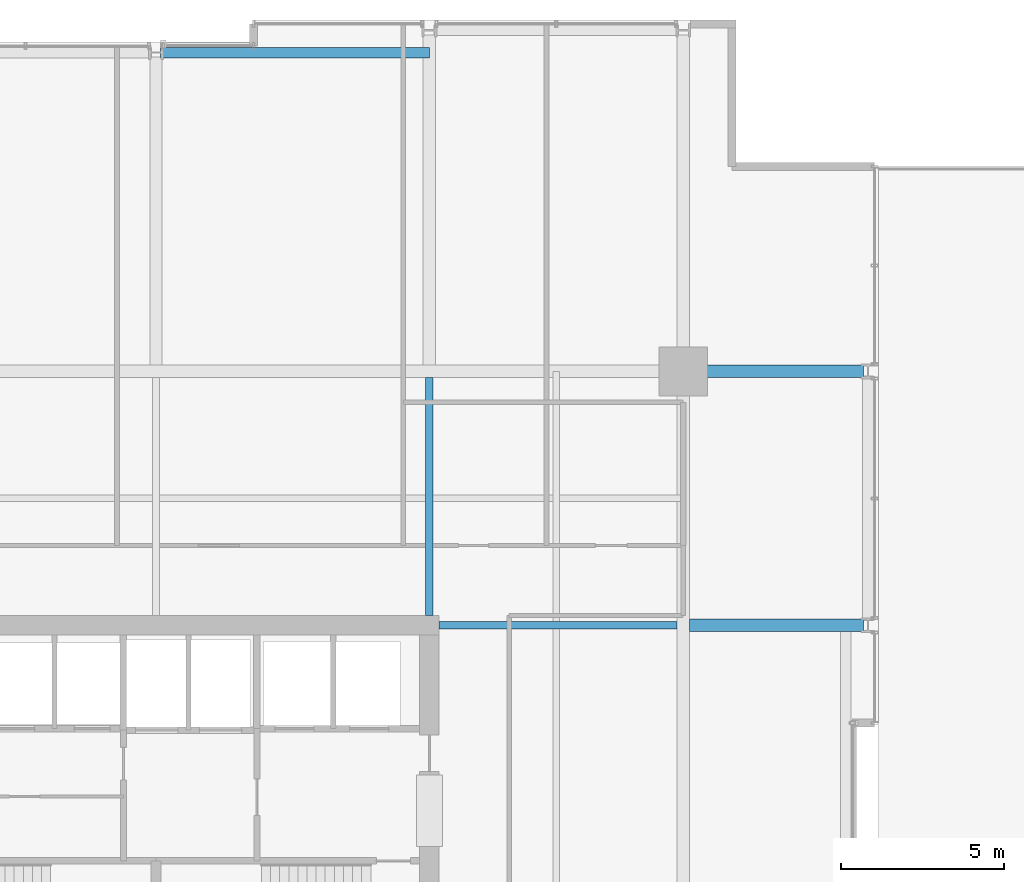
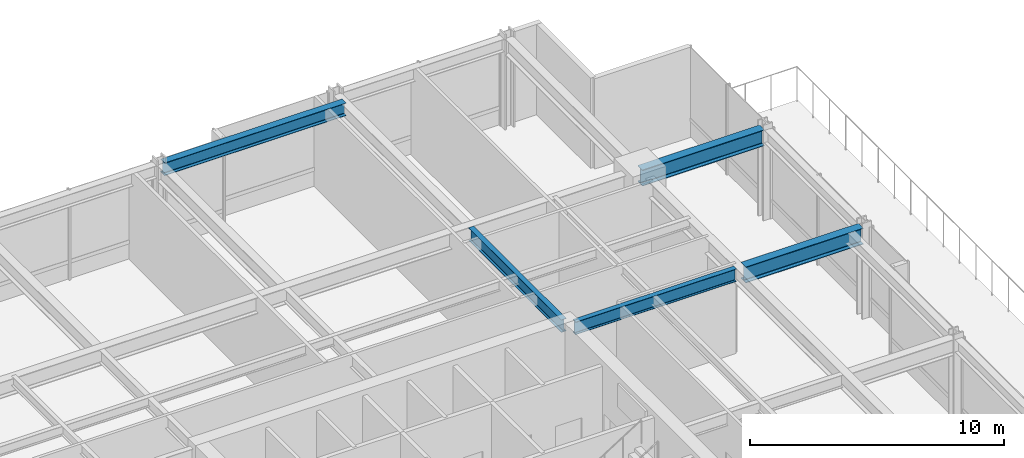
# One storey, part 23 of 33: 5 beams.
"""IFC4 building model written with IfcOpenShell, lengths in metres."""

from ifc_helpers import new_model, si_unit, direction, frame, origin, origin_2d, place, context, subcontext, project, spatial, i_section, extrude, material, material_profile, profile_set, type_object, element, save


model = new_model("IFC4")

# Units and contexts
model_context = context("Model", 3, precision=1e-05, world=origin(), true_north=direction((0.0, 1.0)))
body_context = subcontext(model_context, "Body", "Model", "MODEL_VIEW")
ifc_project = project(units=[si_unit("LENGTHUNIT", "METRE"), si_unit("AREAUNIT", "SQUARE_METRE"), si_unit("VOLUMEUNIT", "CUBIC_METRE"), si_unit("PLANEANGLEUNIT", "RADIAN"), si_unit("MASSUNIT", "GRAM", prefix="KILO")], contexts=[model_context])

# Site, building, storey
site_placement = place(None, origin())
site = spatial("IfcSite", under=ifc_project, at=site_placement, CompositionType="ELEMENT")
building_placement = place(site_placement, origin())
building = spatial("IfcBuilding", under=site, at=building_placement, Name="Drelvath Grand Hotel", CompositionType="ELEMENT")
storey_placement = place(building_placement, frame((0.0, 0.0, 87.199951171875)))
storey = spatial("IfcBuildingStorey", under=building, at=storey_placement, Name="L21", CompositionType="ELEMENT", Elevation=87.199951171875)

# Beams
ifc_material = material(Name="Steel ASTM A992 Gr 50", Category="steel")
ifc_material_profile_1 = material_profile(ifc_material, i_section(OverallWidth=0.323974609375, OverallDepth=0.611083984375, WebThickness=0.0126953125, FlangeThickness=0.01904296875, FilletRadius=0.02197265625, at=origin_2d()), Name="W24X104")
ifc_profile_set_1 = profile_set([ifc_material_profile_1], Name="Steel ASTM A992 Gr 50")
beam_type_1 = type_object("IfcBeamType", Name="Perimeter Spandrel Beam W24X104", PredefinedType="SPANDREL", material=ifc_profile_set_1)
beam_1_placement = place(storey_placement, frame((0.139892578125, 53.0, 4.03466796875), z_axis=(1.0, 0.0, 0.0), x_axis=(0.0, 1.0, 0.0)))
element("IfcBeam", 1, at=beam_1_placement, inside=storey, type_object=beam_type_1, Name="L21 Spandrel North Mid E", PredefinedType="SPANDREL", context=body_context, shape_type="SweptSolid", body=[
    extrude(i_section(OverallWidth=0.323974609375, OverallDepth=0.611083984375, WebThickness=0.0126953125, FlangeThickness=0.01904296875, FilletRadius=0.02197265625, at=origin_2d()), origin(), (0.0, 0.0, 1.0), 8.260009765625),
])
ifc_material_profile_2 = material_profile(ifc_material, i_section(OverallWidth=0.228271484375, OverallDepth=0.607666015625, WebThickness=0.01123046875, FlangeThickness=0.017333984375, FilletRadius=0.02001953125, at=origin_2d()), Name="W24X76")
ifc_profile_set_2 = profile_set([ifc_material_profile_2], Name="Steel ASTM A992 Gr 50")
beam_type_2 = type_object("IfcBeamType", Name="Primary Floor Girder W24X76", PredefinedType="BEAM", material=ifc_profile_set_2)
for number, where, z_axis, x_axis, name in (
    (2, (8.699951171875, 35.39990234375, 4.0361328125), (1.0, 0.0, 0.0), (0.0, 1.0, 0.0), "L21 East Core Tie F"),
    (3, (8.39990234375, 35.699951171875, 4.0361328125), (0.0, 1.0, 0.0), (-1.0, 0.0, 0.0), "L21 North Core Tie 6"),
):
    element("IfcBeam", number, at=place(storey_placement, frame(where, z_axis=z_axis, x_axis=x_axis)), inside=storey, type_object=beam_type_2, Name=name, PredefinedType="BEAM", context=body_context, shape_type="SweptSolid", body=[
        extrude(i_section(OverallWidth=0.228271484375, OverallDepth=0.607666015625, WebThickness=0.01123046875, FlangeThickness=0.017333984375, FilletRadius=0.02001953125, at=origin_2d()), origin(), (0.0, 0.0, 1.0), 7.309814453125),
    ])
ifc_material_profile_3 = material_profile(ifc_material, i_section(OverallWidth=0.380615234375, OverallDepth=0.773193359375, WebThickness=0.0166015625, FlangeThickness=0.027099609375, FilletRadius=0.02490234375, at=origin_2d()), Name="W30X173")
ifc_profile_set_3 = profile_set([ifc_material_profile_3], Name="Steel ASTM A992 Gr 50")
beam_type_3 = type_object("IfcBeamType", Name="Primary Floor Girder W30X173", PredefinedType="BEAM", material=ifc_profile_set_3)
beam_2_placement = place(storey_placement, frame((16.199951171875, 43.199951171875, 3.953369140625), z_axis=(1.0, 0.0, 0.0), x_axis=(0.0, 1.0, 0.0)))
element("IfcBeam", 4, at=beam_2_placement, inside=storey, type_object=beam_type_3, Name="L21 East Grid Girder G", PredefinedType="BEAM", context=body_context, shape_type="SweptSolid", body=[
    extrude(i_section(OverallWidth=0.380615234375, OverallDepth=0.773193359375, WebThickness=0.0166015625, FlangeThickness=0.027099609375, FilletRadius=0.02490234375, at=origin_2d()), origin(), (0.0, 0.0, 1.0), 5.5400390625),
])
beam_3_placement = place(storey_placement, frame((16.390380859375, 35.39990234375, 3.953369140625), z_axis=(1.0, 0.0, 0.0), x_axis=(0.0, 1.0, 0.0)))
element("IfcBeam", 5, at=beam_3_placement, inside=storey, type_object=beam_type_3, Name="L21 East Wing Girder F", PredefinedType="BEAM", context=body_context, shape_type="SweptSolid", body=[
    extrude(i_section(OverallWidth=0.380615234375, OverallDepth=0.773193359375, WebThickness=0.0166015625, FlangeThickness=0.027099609375, FilletRadius=0.02490234375, at=origin_2d()), origin(), (0.0, 0.0, 1.0), 5.349609375),
])

save(model, "model.ifc")
